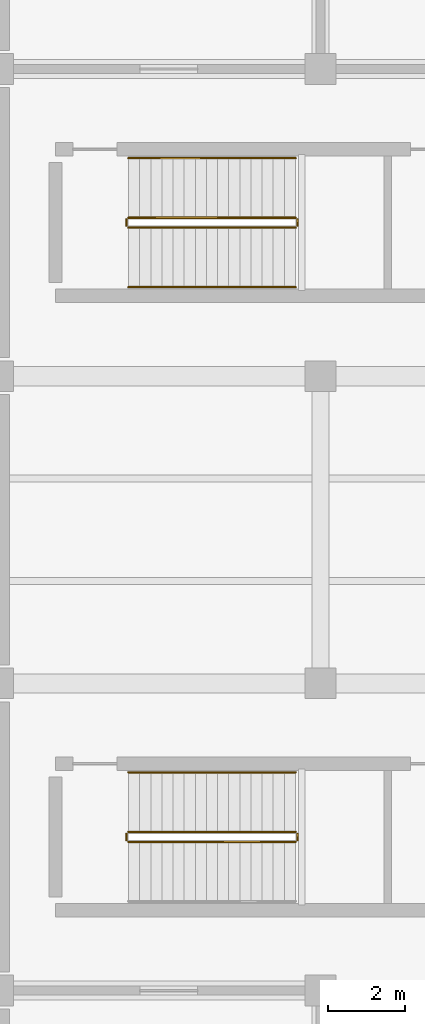
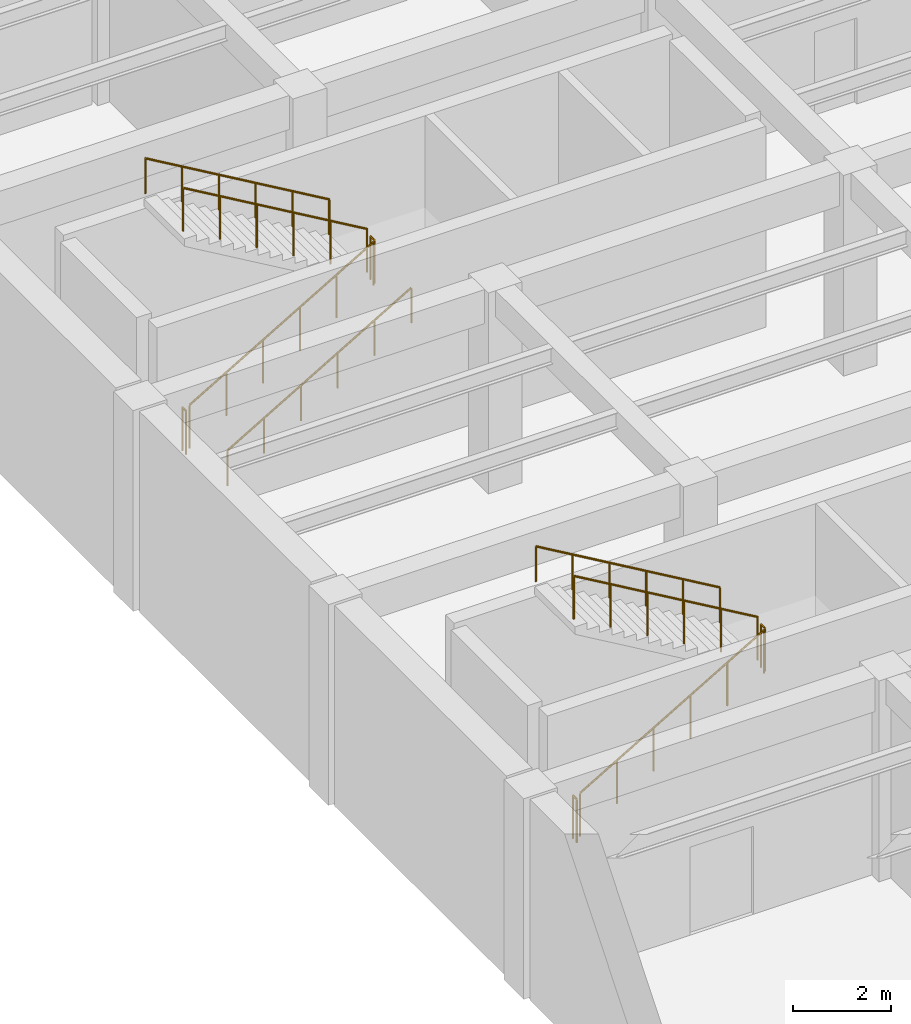
# One storey, part 13 of 16: 11 railings.
"""IFC4 building model written with IfcOpenShell, lengths in metres."""

from ifc_helpers import new_model, si_unit, direction, frame, origin, origin_2d, place, context, subcontext, project, spatial, circle, extrude, material, type_object, element, save


model = new_model("IFC4")

# Units and contexts
model_context = context("Model", 3, precision=1e-05, world=origin(), true_north=direction((0.0, 1.0)))
body_context = subcontext(model_context, "Body", "Model", "MODEL_VIEW")
ifc_project = project(units=[si_unit("LENGTHUNIT", "METRE"), si_unit("AREAUNIT", "SQUARE_METRE"), si_unit("VOLUMEUNIT", "CUBIC_METRE"), si_unit("PLANEANGLEUNIT", "RADIAN"), si_unit("MASSUNIT", "GRAM", prefix="KILO")], contexts=[model_context])

# Site, building, storey
site_placement = place(None, origin())
site = spatial("IfcSite", under=ifc_project, at=site_placement, CompositionType="ELEMENT")
building_placement = place(site_placement, origin())
building = spatial("IfcBuilding", under=site, at=building_placement, Name="Kranzveld Transit Interchange", CompositionType="ELEMENT")
storey_placement = place(building_placement, frame((0.0, 0.0, -5.43994140625)))
storey = spatial("IfcBuildingStorey", under=building, at=storey_placement, Name="B1", CompositionType="ELEMENT", Elevation=-5.43994140625)

# Railings
ifc_material_1 = material(Name="Steel S355JR", Category="steel")
railing_type_1 = type_object("IfcRailingType", Name="Stair & Ramp Handrail Steel 900", PredefinedType="HANDRAIL", material=ifc_material_1)
railing_1_placement = place(storey_placement, frame((7.75, 69.679931640625, 2.889892578125)))
element("IfcRailing", 1, at=railing_1_placement, inside=storey, type_object=railing_type_1, Name="B1 ST-C1 stair handrail 2", PredefinedType="HANDRAIL", context=body_context, shape_type="SweptSolid", body=[
    extrude(circle(Radius=0.02392578125, at=origin_2d()), frame((0.0, 0.0, 0.8759765625), z_axis=(-0.862698698498, 0.0, 0.505718257145), x_axis=(0.0, -1.0, 0.0)), (0.0, 0.0, 1.0), 5.04248046875),
    extrude(circle(Radius=0.02099609375, at=origin_2d()), origin(), (0.0, 0.0, 1.0), 0.849853515625),
    extrude(circle(Radius=0.02099609375, at=origin_2d()), frame((-0.8701171875, 0.0, 0.510009765625)), (0.0, 0.0, 1.0), 0.849853515625),
    extrude(circle(Radius=0.02099609375, at=origin_2d()), frame((-1.739990234375, 0.0, 1.02001953125)), (0.0, 0.0, 1.0), 0.849853515625),
    extrude(circle(Radius=0.02099609375, at=origin_2d()), frame((-2.610107421875, 0.0, 1.530029296875)), (0.0, 0.0, 1.0), 0.849853515625),
    extrude(circle(Radius=0.02099609375, at=origin_2d()), frame((-3.47998046875, 0.0, 2.0400390625)), (0.0, 0.0, 1.0), 0.849853515625),
    extrude(circle(Radius=0.02099609375, at=origin_2d()), frame((-4.35009765625, 0.0, 2.550048828125)), (0.0, 0.0, 1.0), 0.849853515625),
])
railing_2_placement = place(storey_placement, frame((3.39990234375, 82.320068359375, 0.169921875)))
element("IfcRailing", 2, at=railing_2_placement, inside=storey, type_object=railing_type_1, Name="B1 ST-C2 stair handrail 1", PredefinedType="HANDRAIL", context=body_context, shape_type="SweptSolid", body=[
    extrude(circle(Radius=0.02392578125, at=origin_2d()), frame((0.0, 0.0, 0.8759765625), z_axis=(0.862698698498, 0.0, 0.505718257145), x_axis=(0.0, 1.0, 0.0)), (0.0, 0.0, 1.0), 5.04248046875),
    extrude(circle(Radius=0.02099609375, at=origin_2d()), origin(), (0.0, 0.0, 1.0), 0.849853515625),
    extrude(circle(Radius=0.02099609375, at=origin_2d()), frame((0.8701171875, 0.0, 0.510009765625)), (0.0, 0.0, 1.0), 0.849853515625),
    extrude(circle(Radius=0.02099609375, at=origin_2d()), frame((1.739990234375, 0.0, 1.02001953125)), (0.0, 0.0, 1.0), 0.849853515625),
    extrude(circle(Radius=0.02099609375, at=origin_2d()), frame((2.610107421875, 0.0, 1.530029296875)), (0.0, 0.0, 1.0), 0.849853515625),
    extrude(circle(Radius=0.02099609375, at=origin_2d()), frame((3.47998046875, 0.0, 2.0400390625)), (0.0, 0.0, 1.0), 0.849853515625),
    extrude(circle(Radius=0.02099609375, at=origin_2d()), frame((4.35009765625, 0.0, 2.550048828125)), (0.0, 0.0, 1.0), 0.849853515625),
])
railing_3_placement = place(storey_placement, frame((7.75, 85.679931640625, 2.889892578125)))
element("IfcRailing", 3, at=railing_3_placement, inside=storey, type_object=railing_type_1, Name="B1 ST-C2 stair handrail 2", PredefinedType="HANDRAIL", context=body_context, shape_type="SweptSolid", body=[
    extrude(circle(Radius=0.02392578125, at=origin_2d()), frame((0.0, 0.0, 0.8759765625), z_axis=(-0.862698698498, 0.0, 0.505718257145), x_axis=(0.0, -1.0, 0.0)), (0.0, 0.0, 1.0), 5.04248046875),
    extrude(circle(Radius=0.02099609375, at=origin_2d()), origin(), (0.0, 0.0, 1.0), 0.849853515625),
    extrude(circle(Radius=0.02099609375, at=origin_2d()), frame((-0.8701171875, 0.0, 0.510009765625)), (0.0, 0.0, 1.0), 0.849853515625),
    extrude(circle(Radius=0.02099609375, at=origin_2d()), frame((-1.739990234375, 0.0, 1.02001953125)), (0.0, 0.0, 1.0), 0.849853515625),
    extrude(circle(Radius=0.02099609375, at=origin_2d()), frame((-2.610107421875, 0.0, 1.530029296875)), (0.0, 0.0, 1.0), 0.849853515625),
    extrude(circle(Radius=0.02099609375, at=origin_2d()), frame((-3.47998046875, 0.0, 2.0400390625)), (0.0, 0.0, 1.0), 0.849853515625),
    extrude(circle(Radius=0.02099609375, at=origin_2d()), frame((-4.35009765625, 0.0, 2.550048828125)), (0.0, 0.0, 1.0), 0.849853515625),
])
ifc_material_2 = material(Name="Steel S355JR", Category="steel")
railing_type_2 = type_object("IfcRailingType", Name="Stair Well Guardrail Steel 1100", PredefinedType="GUARDRAIL", material=ifc_material_2)
railing_4_placement = place(storey_placement, frame((3.39990234375, 67.8701171875, 0.169921875)))
element("IfcRailing", 4, at=railing_4_placement, inside=storey, type_object=railing_type_2, Name="B1 ST-C1 stair guard 1", PredefinedType="GUARDRAIL", context=body_context, shape_type="SweptSolid", body=[
    extrude(circle(Radius=0.02392578125, at=origin_2d()), frame((0.0, 0.0, 1.076171875), z_axis=(0.862698698498, 0.0, 0.505718257145), x_axis=(0.0, 1.0, 0.0)), (0.0, 0.0, 1.0), 5.04248046875),
    extrude(circle(Radius=0.02099609375, at=origin_2d()), origin(), (0.0, 0.0, 1.0), 1.050048828125),
    extrude(circle(Radius=0.02099609375, at=origin_2d()), frame((0.8701171875, 0.0, 0.510009765625)), (0.0, 0.0, 1.0), 1.050048828125),
    extrude(circle(Radius=0.02099609375, at=origin_2d()), frame((1.739990234375, 0.0, 1.02001953125)), (0.0, 0.0, 1.0), 1.050048828125),
    extrude(circle(Radius=0.02099609375, at=origin_2d()), frame((2.610107421875, 0.0, 1.530029296875)), (0.0, 0.0, 1.0), 1.050048828125),
    extrude(circle(Radius=0.02099609375, at=origin_2d()), frame((3.47998046875, 0.0, 2.0400390625)), (0.0, 0.0, 1.0), 1.050048828125),
    extrude(circle(Radius=0.02099609375, at=origin_2d()), frame((4.35009765625, 0.0, 2.550048828125)), (0.0, 0.0, 1.0), 1.050048828125),
])
railing_5_placement = place(storey_placement, frame((7.800048828125, 67.919921875, 2.719970703125)))
element("IfcRailing", 5, at=railing_5_placement, inside=storey, type_object=railing_type_2, Name="B1 ST-C1 stair guard 2", PredefinedType="GUARDRAIL", context=body_context, shape_type="SweptSolid", body=[
    extrude(circle(Radius=0.02392578125, at=origin_2d()), frame((0.0, 0.0, 1.076171875), z_axis=(0.0, 1.0, 0.0), x_axis=(-1.0, 0.0, 0.0)), (0.0, 0.0, 1.0), 0.16015625),
    extrude(circle(Radius=0.02099609375, at=origin_2d()), origin(), (0.0, 0.0, 1.0), 1.050048828125),
    extrude(circle(Radius=0.02099609375, at=origin_2d()), frame((0.0, 0.16015625, 0.0)), (0.0, 0.0, 1.0), 1.050048828125),
])
railing_6_placement = place(storey_placement, frame((7.75, 68.1298828125, 2.889892578125)))
element("IfcRailing", 6, at=railing_6_placement, inside=storey, type_object=railing_type_2, Name="B1 ST-C1 stair guard 3", PredefinedType="GUARDRAIL", context=body_context, shape_type="SweptSolid", body=[
    extrude(circle(Radius=0.02392578125, at=origin_2d()), frame((0.0, 0.0, 1.076171875), z_axis=(-0.862698698498, 0.0, 0.505718257145), x_axis=(0.0, -1.0, 0.0)), (0.0, 0.0, 1.0), 5.04248046875),
    extrude(circle(Radius=0.02099609375, at=origin_2d()), origin(), (0.0, 0.0, 1.0), 1.050048828125),
    extrude(circle(Radius=0.02099609375, at=origin_2d()), frame((-0.8701171875, 0.0, 0.510009765625)), (0.0, 0.0, 1.0), 1.050048828125),
    extrude(circle(Radius=0.02099609375, at=origin_2d()), frame((-1.739990234375, 0.0, 1.02001953125)), (0.0, 0.0, 1.0), 1.050048828125),
    extrude(circle(Radius=0.02099609375, at=origin_2d()), frame((-2.610107421875, 0.0, 1.530029296875)), (0.0, 0.0, 1.0), 1.050048828125),
    extrude(circle(Radius=0.02099609375, at=origin_2d()), frame((-3.47998046875, 0.0, 2.0400390625)), (0.0, 0.0, 1.0), 1.050048828125),
    extrude(circle(Radius=0.02099609375, at=origin_2d()), frame((-4.35009765625, 0.0, 2.550048828125)), (0.0, 0.0, 1.0), 1.050048828125),
])
railing_7_placement = place(storey_placement, frame((3.35009765625, 67.919921875, 0.0)))
element("IfcRailing", 7, at=railing_7_placement, inside=storey, type_object=railing_type_2, Name="B1 ST-C1 stair guard 4", PredefinedType="GUARDRAIL", context=body_context, shape_type="SweptSolid", body=[
    extrude(circle(Radius=0.02392578125, at=origin_2d()), frame((0.0, 0.0, 1.076171875), z_axis=(0.0, 1.0, 0.0), x_axis=(-1.0, 0.0, 0.0)), (0.0, 0.0, 1.0), 0.16015625),
    extrude(circle(Radius=0.02099609375, at=origin_2d()), origin(), (0.0, 0.0, 1.0), 1.050048828125),
    extrude(circle(Radius=0.02099609375, at=origin_2d()), frame((0.0, 0.16015625, 0.0)), (0.0, 0.0, 1.0), 1.050048828125),
])
railing_8_placement = place(storey_placement, frame((3.39990234375, 83.8701171875, 0.169921875)))
element("IfcRailing", 8, at=railing_8_placement, inside=storey, type_object=railing_type_2, Name="B1 ST-C2 stair guard 1", PredefinedType="GUARDRAIL", context=body_context, shape_type="SweptSolid", body=[
    extrude(circle(Radius=0.02392578125, at=origin_2d()), frame((0.0, 0.0, 1.076171875), z_axis=(0.862698698498, 0.0, 0.505718257145), x_axis=(0.0, 1.0, 0.0)), (0.0, 0.0, 1.0), 5.04248046875),
    extrude(circle(Radius=0.02099609375, at=origin_2d()), origin(), (0.0, 0.0, 1.0), 1.050048828125),
    extrude(circle(Radius=0.02099609375, at=origin_2d()), frame((0.8701171875, 0.0, 0.510009765625)), (0.0, 0.0, 1.0), 1.050048828125),
    extrude(circle(Radius=0.02099609375, at=origin_2d()), frame((1.739990234375, 0.0, 1.02001953125)), (0.0, 0.0, 1.0), 1.050048828125),
    extrude(circle(Radius=0.02099609375, at=origin_2d()), frame((2.610107421875, 0.0, 1.530029296875)), (0.0, 0.0, 1.0), 1.050048828125),
    extrude(circle(Radius=0.02099609375, at=origin_2d()), frame((3.47998046875, 0.0, 2.0400390625)), (0.0, 0.0, 1.0), 1.050048828125),
    extrude(circle(Radius=0.02099609375, at=origin_2d()), frame((4.35009765625, 0.0, 2.550048828125)), (0.0, 0.0, 1.0), 1.050048828125),
])
railing_9_placement = place(storey_placement, frame((7.800048828125, 83.919921875, 2.719970703125)))
element("IfcRailing", 9, at=railing_9_placement, inside=storey, type_object=railing_type_2, Name="B1 ST-C2 stair guard 2", PredefinedType="GUARDRAIL", context=body_context, shape_type="SweptSolid", body=[
    extrude(circle(Radius=0.02392578125, at=origin_2d()), frame((0.0, 0.0, 1.076171875), z_axis=(0.0, 1.0, 0.0), x_axis=(-1.0, 0.0, 0.0)), (0.0, 0.0, 1.0), 0.16015625),
    extrude(circle(Radius=0.02099609375, at=origin_2d()), origin(), (0.0, 0.0, 1.0), 1.050048828125),
    extrude(circle(Radius=0.02099609375, at=origin_2d()), frame((0.0, 0.16015625, 0.0)), (0.0, 0.0, 1.0), 1.050048828125),
])
railing_10_placement = place(storey_placement, frame((7.75, 84.1298828125, 2.889892578125)))
element("IfcRailing", 10, at=railing_10_placement, inside=storey, type_object=railing_type_2, Name="B1 ST-C2 stair guard 3", PredefinedType="GUARDRAIL", context=body_context, shape_type="SweptSolid", body=[
    extrude(circle(Radius=0.02392578125, at=origin_2d()), frame((0.0, 0.0, 1.076171875), z_axis=(-0.862698698498, 0.0, 0.505718257145), x_axis=(0.0, -1.0, 0.0)), (0.0, 0.0, 1.0), 5.04248046875),
    extrude(circle(Radius=0.02099609375, at=origin_2d()), origin(), (0.0, 0.0, 1.0), 1.050048828125),
    extrude(circle(Radius=0.02099609375, at=origin_2d()), frame((-0.8701171875, 0.0, 0.510009765625)), (0.0, 0.0, 1.0), 1.050048828125),
    extrude(circle(Radius=0.02099609375, at=origin_2d()), frame((-1.739990234375, 0.0, 1.02001953125)), (0.0, 0.0, 1.0), 1.050048828125),
    extrude(circle(Radius=0.02099609375, at=origin_2d()), frame((-2.610107421875, 0.0, 1.530029296875)), (0.0, 0.0, 1.0), 1.050048828125),
    extrude(circle(Radius=0.02099609375, at=origin_2d()), frame((-3.47998046875, 0.0, 2.0400390625)), (0.0, 0.0, 1.0), 1.050048828125),
    extrude(circle(Radius=0.02099609375, at=origin_2d()), frame((-4.35009765625, 0.0, 2.550048828125)), (0.0, 0.0, 1.0), 1.050048828125),
])
railing_11_placement = place(storey_placement, frame((3.35009765625, 83.919921875, 0.0)))
element("IfcRailing", 11, at=railing_11_placement, inside=storey, type_object=railing_type_2, Name="B1 ST-C2 stair guard 4", PredefinedType="GUARDRAIL", context=body_context, shape_type="SweptSolid", body=[
    extrude(circle(Radius=0.02392578125, at=origin_2d()), frame((0.0, 0.0, 1.076171875), z_axis=(0.0, 1.0, 0.0), x_axis=(-1.0, 0.0, 0.0)), (0.0, 0.0, 1.0), 0.16015625),
    extrude(circle(Radius=0.02099609375, at=origin_2d()), origin(), (0.0, 0.0, 1.0), 1.050048828125),
    extrude(circle(Radius=0.02099609375, at=origin_2d()), frame((0.0, 0.16015625, 0.0)), (0.0, 0.0, 1.0), 1.050048828125),
])

save(model, "model.ifc")
